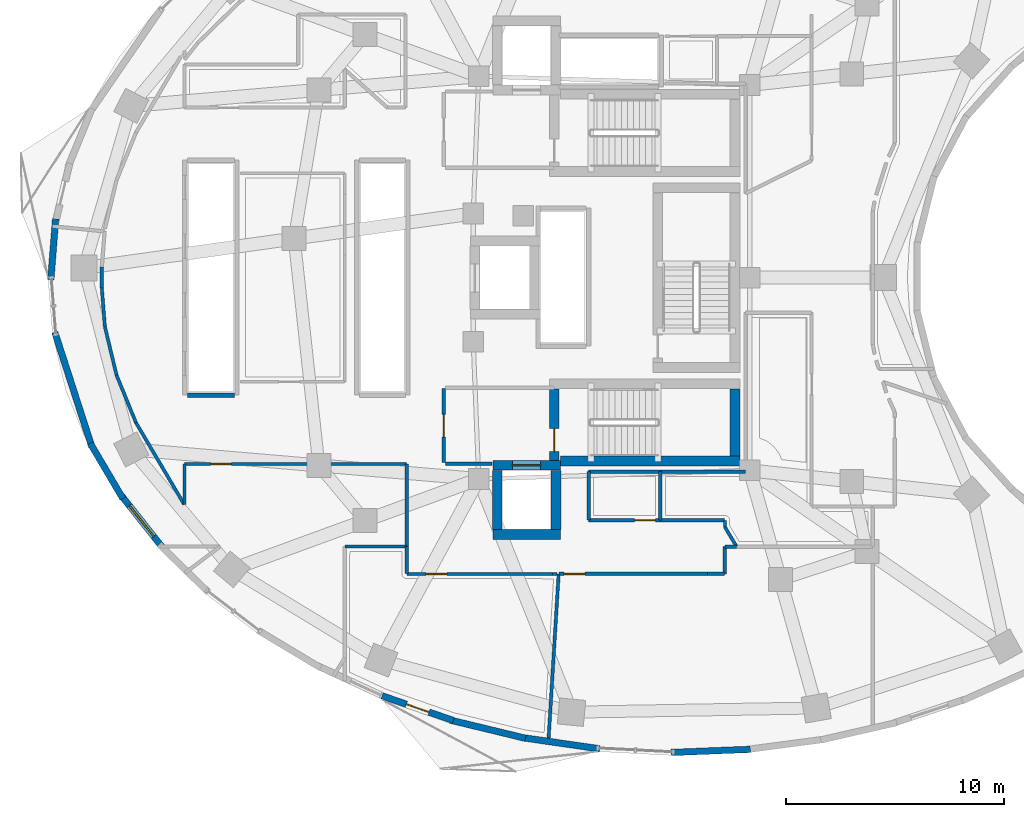
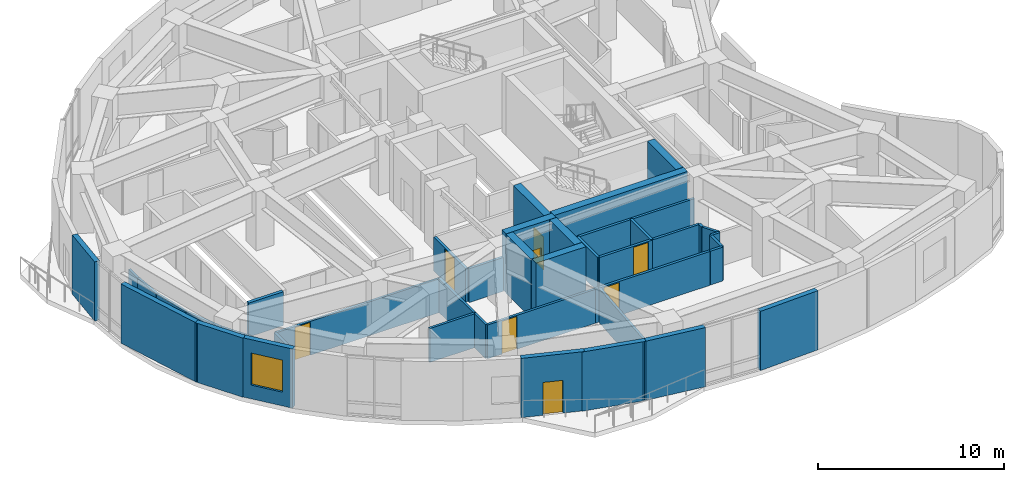
# One storey, part 6 of 13: 43 walls, 8 doors, 1 window, 9 openings.
"""IFC4 building model written with IfcOpenShell, lengths in metres."""

from ifc_helpers import new_model, si_unit, direction, frame, frame_2d, origin, place, context, subcontext, project, spatial, rectangle, extrude, material, layer, layer_set, type_object, element, fill, save


model = new_model("IFC4")

# Units and contexts
model_context = context("Model", 3, precision=1e-05, world=origin(), true_north=direction((0.0, 1.0)))
body_context = subcontext(model_context, "Body", "Model", "MODEL_VIEW")
ifc_project = project(units=[si_unit("LENGTHUNIT", "METRE"), si_unit("AREAUNIT", "SQUARE_METRE"), si_unit("VOLUMEUNIT", "CUBIC_METRE"), si_unit("PLANEANGLEUNIT", "RADIAN"), si_unit("MASSUNIT", "GRAM", prefix="KILO")], contexts=[model_context])

# Site, building, storey
site_placement = place(None, origin())
site = spatial("IfcSite", under=ifc_project, at=site_placement, CompositionType="ELEMENT")
building_placement = place(site_placement, origin())
building = spatial("IfcBuilding", under=site, at=building_placement, Name="Korentha Bioscience Tower", CompositionType="ELEMENT")
storey_placement = place(building_placement, frame((0.0, 0.0, 144.60009765625)))
storey = spatial("IfcBuildingStorey", under=building, at=storey_placement, Name="L33", CompositionType="ELEMENT", Elevation=144.60009765625)

# Wall, opening, door
ifc_material_1 = material(Name="Double-Stud Acoustic Gypsum", Category="gypsum")
ifc_layer_1 = layer(ifc_material_1, 0.14990234375, Name="Double-Stud Acoustic Gypsum")
ifc_layer_set_1 = layer_set([ifc_layer_1], Name="Double-Stud Acoustic Gypsum (IW-L150)")
wall_type_1 = type_object("IfcWallType", Name="Acoustic Laboratory Partition Wall 150", PredefinedType="PARTITIONING", material=ifc_layer_set_1)
wall_1_placement = place(storey_placement, frame((11.590087890625, 18.43994140625, 0.0), z_axis=(0.0, 0.0, 1.0), x_axis=(1.0, 0.0, 0.0)))
wall_1 = element("IfcWall", 1, at=wall_1_placement, inside=storey, type_object=wall_type_1, Name="L33 Research Colloquium Seminar Room 02 Entrance Wall", PredefinedType="PARTITIONING", context=body_context, shape_type="SweptSolid", body=[
    extrude(rectangle(XDim=10.199951171875, YDim=0.14990234375, at=frame_2d((5.10009765625, 0.0))), origin(), (0.0, 0.0, 1.0), 2.219970703125),
])
opening_1_placement = place(wall_1_placement, frame((1.20166015625, 0.0, 0.0)))
opening_1 = element("IfcOpeningElement", 2, at=opening_1_placement, cuts=wall_1, Name="Opening ID-10L", PredefinedType="OPENING", context=body_context, shape_type="SweptSolid", body=[
    extrude(rectangle(XDim=0.949951171875, YDim=2.14990234375, at=frame_2d((0.47509765625, 1.074951171875))), frame((0.0, 0.08984375, 0.0), z_axis=(0.0, -1.0, 0.0), x_axis=(1.0, 0.0, 0.0)), (0.0, 0.0, 1.0), 0.1796875),
])
ifc_material_2 = material(Name="Phenolic Laminate Timber Core", Category="wood")
door_type_1 = type_object("IfcDoorType", Name="Laboratory Single Leaf Door 950x2150 Left", OperationType="SINGLE_SWING_LEFT", PredefinedType="DOOR", material=ifc_material_2)
door_1_placement = place(opening_1_placement, origin())
door_1 = element("IfcDoor", 3, at=door_1_placement, inside=storey, type_object=door_type_1, Name="L33 Research Colloquium Seminar Room 02 Door", OperationType="SINGLE_SWING_LEFT", OverallHeight=2.14990234375, OverallWidth=0.949951171875, PredefinedType="DOOR", context=body_context, shape_type="SweptSolid", body=[
    extrude(rectangle(XDim=0.949951171875, YDim=2.14990234375, at=frame_2d((0.47509765625, 1.074951171875))), frame((0.0, 0.02490234375, 0.0), z_axis=(0.0, -1.0, 0.0), x_axis=(1.0, 0.0, 0.0)), (0.0, 0.0, 1.0), 0.050048828125),
])
fill(opening_1, door_1)

wall_2_placement = place(storey_placement, frame((21.800048828125, 13.389892578125, 0.0), z_axis=(0.0, 0.0, 1.0), x_axis=(1.0, 0.0, 0.0)))
wall_2 = element("IfcWall", 4, at=wall_2_placement, inside=storey, type_object=wall_type_1, Name="L33 Staff Pantry Kitchenette 03 Entrance Wall", PredefinedType="PARTITIONING", context=body_context, shape_type="SweptSolid", body=[
    extrude(rectangle(XDim=6.699951171875, YDim=0.14990234375, at=frame_2d((3.35009765625, 0.0))), origin(), (0.0, 0.0, 1.0), 2.219970703125),
])
opening_2_placement = place(wall_2_placement, frame((0.88720703125, 0.0, 0.0)))
opening_2 = element("IfcOpeningElement", 5, at=opening_2_placement, cuts=wall_2, Name="Opening ID-10R", PredefinedType="OPENING", context=body_context, shape_type="SweptSolid", body=[
    extrude(rectangle(XDim=0.949951171875, YDim=2.14990234375, at=frame_2d((0.47509765625, 1.074951171875))), frame((0.0, 0.08984375, 0.0), z_axis=(0.0, -1.0, 0.0), x_axis=(1.0, 0.0, 0.0)), (0.0, 0.0, 1.0), 0.1796875),
])
door_type_2 = type_object("IfcDoorType", Name="Laboratory Single Leaf Door 950x2150 Right", OperationType="SINGLE_SWING_RIGHT", PredefinedType="DOOR", material=ifc_material_2)
door_2_placement = place(opening_2_placement, origin())
door_2 = element("IfcDoor", 6, at=door_2_placement, inside=storey, type_object=door_type_2, Name="L33 Staff Pantry Kitchenette 03 Door", OperationType="SINGLE_SWING_RIGHT", OverallHeight=2.14990234375, OverallWidth=0.949951171875, PredefinedType="DOOR", context=body_context, shape_type="SweptSolid", body=[
    extrude(rectangle(XDim=0.949951171875, YDim=2.14990234375, at=frame_2d((0.47509765625, 1.074951171875))), frame((0.0, 0.02490234375, 0.0), z_axis=(0.0, -1.0, 0.0), x_axis=(1.0, 0.0, 0.0)), (0.0, 0.0, 1.0), 0.050048828125),
])
fill(opening_2, door_2)

# Walls
wall_3_placement = place(storey_placement, frame((7.7900390625, 27.48291015625, 0.0), z_axis=(0.0, 0.0, 1.0), x_axis=(0.0, -1.0, 0.0)))
element("IfcWall", 7, at=wall_3_placement, inside=storey, type_object=wall_type_1, Name="L33 Interior Partition 025", PredefinedType="PARTITIONING", context=body_context, shape_type="SweptSolid", body=[
    extrude(rectangle(XDim=0.9658203125, YDim=0.14990234375, at=frame_2d((0.48291015625, 0.0))), origin(), (0.0, 0.0, 1.0), 2.219970703125),
])
wall_4_placement = place(storey_placement, frame((7.7900390625, 26.51611328125, 0.0), z_axis=(0.0, 0.0, 1.0), x_axis=(0.079131522864, -0.996864184375, 0.0)))
element("IfcWall", 8, at=wall_4_placement, inside=storey, type_object=wall_type_1, Name="L33 Interior Partition 026", PredefinedType="PARTITIONING", context=body_context, shape_type="SweptSolid", body=[
    extrude(rectangle(XDim=1.77099609375, YDim=0.14990234375, at=frame_2d((0.885498046875, 0.0))), origin(), (0.0, 0.0, 1.0), 2.219970703125),
])
wall_5_placement = place(storey_placement, frame((7.930419921875, 24.749267578125, 0.0), z_axis=(0.0, 0.0, 1.0), x_axis=(0.233675196412, -0.972314713754, 0.0)))
element("IfcWall", 9, at=wall_5_placement, inside=storey, type_object=wall_type_1, Name="L33 Interior Partition 027", PredefinedType="PARTITIONING", context=body_context, shape_type="SweptSolid", body=[
    extrude(rectangle(XDim=2.291259765625, YDim=0.14990234375, at=frame_2d((1.1455078125, 0.0))), origin(), (0.0, 0.0, 1.0), 2.219970703125),
])
wall_6_placement = place(storey_placement, frame((8.46630859375, 22.520263671875, 0.0), z_axis=(0.0, 0.0, 1.0), x_axis=(0.378306283753, -0.925680482495, 0.0)))
element("IfcWall", 10, at=wall_6_placement, inside=storey, type_object=wall_type_1, Name="L33 Interior Partition 028", PredefinedType="PARTITIONING", context=body_context, shape_type="SweptSolid", body=[
    extrude(rectangle(XDim=2.358154296875, YDim=0.14990234375, at=frame_2d((1.17919921875, 0.0))), origin(), (0.0, 0.0, 1.0), 2.219970703125),
])
wall_7_placement = place(storey_placement, frame((9.359130859375, 20.336181640625, 0.0), z_axis=(0.0, 0.0, 1.0), x_axis=(0.508164254342, -0.86126017591, 0.0)))
element("IfcWall", 11, at=wall_7_placement, inside=storey, type_object=wall_type_1, Name="L33 Interior Partition 029", PredefinedType="PARTITIONING", context=body_context, shape_type="SweptSolid", body=[
    extrude(rectangle(XDim=4.353271484375, YDim=0.14990234375, at=frame_2d((2.1767578125, 0.0))), origin(), (0.0, 0.0, 1.0), 2.219970703125),
])
wall_8_placement = place(storey_placement, frame((11.590087890625, 16.592041015625, 0.0), z_axis=(0.0, 0.0, 1.0), x_axis=(0.0, 1.0, 0.0)))
element("IfcWall", 12, at=wall_8_placement, inside=storey, type_object=wall_type_1, Name="L33 Interior Partition 030", PredefinedType="PARTITIONING", context=body_context, shape_type="SweptSolid", body=[
    extrude(rectangle(XDim=1.847900390625, YDim=0.14990234375, at=frame_2d((0.923828125, 0.0))), origin(), (0.0, 0.0, 1.0), 2.219970703125),
])
wall_9_placement = place(storey_placement, frame((21.7900390625, 18.43994140625, 0.0), z_axis=(0.0, 0.0, 1.0), x_axis=(0.0, -1.0, 0.0)))
element("IfcWall", 13, at=wall_9_placement, inside=storey, type_object=wall_type_1, Name="L33 Interior Partition 031", PredefinedType="PARTITIONING", context=body_context, shape_type="SweptSolid", body=[
    extrude(rectangle(XDim=3.787841796875, YDim=0.14990234375, at=frame_2d((1.89404296875, 0.0))), origin(), (0.0, 0.0, 1.0), 2.219970703125),
])
wall_10_placement = place(storey_placement, frame((21.7900390625, 14.652099609375, 0.0), z_axis=(0.0, 0.0, 1.0), x_axis=(-1.0, 0.0, 0.0)))
element("IfcWall", 14, at=wall_10_placement, inside=storey, type_object=wall_type_1, Name="L33 Interior Partition 032", PredefinedType="PARTITIONING", context=body_context, shape_type="SweptSolid", body=[
    extrude(rectangle(XDim=2.837890625, YDim=0.14990234375, at=frame_2d((1.4189453125, 0.0))), origin(), (0.0, 0.0, 1.0), 2.219970703125),
])
wall_11_placement = place(storey_placement, frame((21.7900390625, 14.64208984375, 0.0), z_axis=(0.0, 0.0, 1.0), x_axis=(0.0, -1.0, 0.0)))
element("IfcWall", 15, at=wall_11_placement, inside=storey, type_object=wall_type_1, Name="L33 Interior Partition 038", PredefinedType="PARTITIONING", context=body_context, shape_type="SweptSolid", body=[
    extrude(rectangle(XDim=1.2421875, YDim=0.14990234375, at=frame_2d((0.62109375, 0.0))), origin(), (0.0, 0.0, 1.0), 2.219970703125),
])
wall_12_placement = place(storey_placement, frame((28.5, 13.389892578125, 0.0), z_axis=(0.0, 0.0, 1.0), x_axis=(1.0, 0.0, 0.0)))
element("IfcWall", 16, at=wall_12_placement, inside=storey, type_object=wall_type_1, Name="L33 Interior Partition 039", PredefinedType="PARTITIONING", context=body_context, shape_type="SweptSolid", body=[
    extrude(rectangle(XDim=0.1953125, YDim=0.14990234375, at=frame_2d((0.09765625, 0.0))), origin(), (0.0, 0.0, 1.0), 2.219970703125),
])
wall_13_placement = place(storey_placement, frame((28.773193359375, 13.389892578125, 0.0), z_axis=(0.0, 0.0, 1.0), x_axis=(-0.061057412428, -0.998134255693, 0.0)))
element("IfcWall", 17, at=wall_13_placement, inside=storey, type_object=wall_type_1, Name="L33 Interior Partition 040", PredefinedType="PARTITIONING", context=body_context, shape_type="SweptSolid", body=[
    extrude(rectangle(XDim=7.8251953125, YDim=0.14990234375, at=frame_2d((3.91259765625, 0.0))), origin(), (0.0, 0.0, 1.0), 2.219970703125),
])
wall_14_placement = place(storey_placement, frame((36.938232421875, 14.657958984375, 0.0), z_axis=(0.0, 0.0, 1.0), x_axis=(-0.510604172379, 0.859815898405, 0.0)))
element("IfcWall", 18, at=wall_14_placement, inside=storey, type_object=wall_type_1, Name="L33 Interior Partition 047", PredefinedType="PARTITIONING", context=body_context, shape_type="SweptSolid", body=[
    extrude(rectangle(XDim=1.03466796875, YDim=0.14990234375, at=frame_2d((0.517333984375, 0.0))), origin(), (0.0, 0.0, 1.0), 2.219970703125),
])
wall_15_placement = place(storey_placement, frame((36.409912109375, 15.547607421875, 0.0), z_axis=(0.0, 0.0, 1.0), x_axis=(0.0, 1.0, 0.0)))
element("IfcWall", 19, at=wall_15_placement, inside=storey, type_object=wall_type_1, Name="L33 Interior Partition 048", PredefinedType="PARTITIONING", context=body_context, shape_type="SweptSolid", body=[
    extrude(rectangle(XDim=0.302490234375, YDim=0.14990234375, at=frame_2d((0.1513671875, 0.0))), origin(), (0.0, 0.0, 1.0), 2.219970703125),
])
wall_16_placement = place(storey_placement, frame((36.39990234375, 15.860107421875, 0.0), z_axis=(0.0, 0.0, 1.0), x_axis=(-1.0, 0.0, 0.0)))
element("IfcWall", 20, at=wall_16_placement, inside=storey, type_object=wall_type_1, Name="L33 Interior Partition 049", PredefinedType="PARTITIONING", context=body_context, shape_type="SweptSolid", body=[
    extrude(rectangle(XDim=2.93994140625, YDim=0.14990234375, at=frame_2d((1.469970703125, 0.0))), origin(), (0.0, 0.0, 1.0), 2.219970703125),
])
wall_17_placement = place(storey_placement, frame((33.4599609375, 18.090087890625, 0.0), z_axis=(0.0, 0.0, 1.0), x_axis=(1.0, 0.0, 0.0)))
element("IfcWall", 21, at=wall_17_placement, inside=storey, type_object=wall_type_1, Name="L33 Interior Partition 050", PredefinedType="PARTITIONING", context=body_context, shape_type="SweptSolid", body=[
    extrude(rectangle(XDim=3.89013671875, YDim=0.14990234375, at=frame_2d((1.945068359375, 0.0))), origin(), (0.0, 0.0, 1.0), 2.219970703125),
])

# Wall, opening, door
ifc_material_3 = material(Name="Gypsum-Clad Steel Stud", Category="steel")
ifc_layer_2 = layer(ifc_material_3, 0.159912109375, Name="Gypsum-Clad Steel Stud")
ifc_layer_set_2 = layer_set([ifc_layer_2], Name="Gypsum-Clad Steel Stud (IW-C160)")
wall_type_2 = type_object("IfcWallType", Name="Fire-Rated Corridor Partition Wall 160", PredefinedType="PARTITIONING", material=ifc_layer_set_2)
wall_18_placement = place(storey_placement, frame((23.5, 18.5, 0.0), z_axis=(0.0, 0.0, 1.0), x_axis=(0.0, 1.0, 0.0)))
wall_18 = element("IfcWall", 22, at=wall_18_placement, inside=storey, type_object=wall_type_2, Name="L33 FFLS-CW Rated Enclosure Wall", PredefinedType="PARTITIONING", context=body_context, shape_type="SweptSolid", body=[
    extrude(rectangle(XDim=3.39990234375, YDim=0.159912109375, at=frame_2d((1.699951171875, 0.0))), origin(), (0.0, 0.0, 1.0), 2.219970703125),
])
opening_3_placement = place(wall_18_placement, frame((1.175048828125, 0.0, 0.0)))
opening_3 = element("IfcOpeningElement", 23, at=opening_3_placement, cuts=wall_18, Name="Opening FD-90R", PredefinedType="OPENING", context=body_context, shape_type="SweptSolid", body=[
    extrude(rectangle(XDim=1.050048828125, YDim=2.14990234375, at=frame_2d((0.52490234375, 1.074951171875))), frame((0.0, 0.0947265625, 0.0), z_axis=(0.0, -1.0, 0.0), x_axis=(1.0, 0.0, 0.0)), (0.0, 0.0, 1.0), 0.189697265625),
])
ifc_material_4 = material(Name="Powder-Coated Fire-Rated Steel", Category="steel")
door_type_3 = type_object("IfcDoorType", Name="Stairwell Fire Exit Door 1050x2150 Right", OperationType="SINGLE_SWING_RIGHT", PredefinedType="DOOR", material=ifc_material_4)
door_3_placement = place(opening_3_placement, origin())
door_3 = element("IfcDoor", 24, at=door_3_placement, inside=storey, type_object=door_type_3, Name="L33 South Firefighting Lobby Door", OperationType="SINGLE_SWING_RIGHT", OverallHeight=2.14990234375, OverallWidth=1.050048828125, PredefinedType="DOOR", context=body_context, shape_type="SweptSolid", body=[
    extrude(rectangle(XDim=1.050048828125, YDim=2.14990234375, at=frame_2d((0.52490234375, 1.074951171875))), frame((0.0, 0.02490234375, 0.0), z_axis=(0.0, -1.0, 0.0), x_axis=(1.0, 0.0, 0.0)), (0.0, 0.0, 1.0), 0.050048828125),
])
fill(opening_3, door_3)

# Wall
wall_19_placement = place(storey_placement, frame((23.580078125, 18.449951171875, 0.0), z_axis=(0.0, 0.0, 1.0), x_axis=(1.0, 0.0, 0.0)))
element("IfcWall", 25, at=wall_19_placement, inside=storey, type_object=wall_type_2, Name="L33 Firefighting Lobby Return Wall FFLS-S", PredefinedType="PARTITIONING", context=body_context, shape_type="SweptSolid", body=[
    extrude(rectangle(XDim=2.119873046875, YDim=0.159912109375, at=frame_2d((1.06005859375, 0.0))), origin(), (0.0, 0.0, 1.0), 2.219970703125),
])

# Wall, opening, door
wall_20_placement = place(storey_placement, frame((33.449951171875, 15.860107421875, 0.0), z_axis=(0.0, 0.0, 1.0), x_axis=(-1.0, 0.0, 0.0)))
wall_20 = element("IfcWall", 26, at=wall_20_placement, inside=storey, type_object=wall_type_2, Name="L33 Core Instrumentation and Gas Store Entrance Wall", PredefinedType="PARTITIONING", context=body_context, shape_type="SweptSolid", body=[
    extrude(rectangle(XDim=3.300048828125, YDim=0.159912109375, at=frame_2d((1.64990234375, 0.0))), origin(), (0.0, 0.0, 1.0), 2.219970703125),
])
opening_4_placement = place(wall_20_placement, frame((0.239990234375, 0.0, 0.0)))
opening_4 = element("IfcOpeningElement", 27, at=opening_4_placement, cuts=wall_20, Name="Opening ID-10R", PredefinedType="OPENING", context=body_context, shape_type="SweptSolid", body=[
    extrude(rectangle(XDim=0.949951171875, YDim=2.14990234375, at=frame_2d((0.47509765625, 1.074951171875))), frame((0.0, 0.0947265625, 0.0), z_axis=(0.0, -1.0, 0.0), x_axis=(1.0, 0.0, 0.0)), (0.0, 0.0, 1.0), 0.189697265625),
])
door_4_placement = place(opening_4_placement, origin())
door_4 = element("IfcDoor", 28, at=door_4_placement, inside=storey, type_object=door_type_2, Name="L33 Core Instrumentation and Gas Store Door", OperationType="SINGLE_SWING_RIGHT", OverallHeight=2.14990234375, OverallWidth=0.949951171875, PredefinedType="DOOR", context=body_context, shape_type="SweptSolid", body=[
    extrude(rectangle(XDim=0.949951171875, YDim=2.14990234375, at=frame_2d((0.47509765625, 1.074951171875))), frame((0.0, 0.02490234375, 0.0), z_axis=(0.0, -1.0, 0.0), x_axis=(1.0, 0.0, 0.0)), (0.0, 0.0, 1.0), 0.050048828125),
])
fill(opening_4, door_4)

wall_21_placement = place(storey_placement, frame((28.783203125, 13.389892578125, 0.0), z_axis=(0.0, 0.0, 1.0), x_axis=(1.0, 0.0, 0.0)))
wall_21 = element("IfcWall", 29, at=wall_21_placement, inside=storey, type_object=wall_type_2, Name="L33 Biospecimen Archive Store 04 Entrance Wall", PredefinedType="PARTITIONING", context=body_context, shape_type="SweptSolid", body=[
    extrude(rectangle(XDim=6.81689453125, YDim=0.159912109375, at=frame_2d((3.408447265625, 0.0))), origin(), (0.0, 0.0, 1.0), 2.219970703125),
])
opening_5_placement = place(wall_21_placement, frame((0.239990234375, 0.0, 0.0)))
opening_5 = element("IfcOpeningElement", 30, at=opening_5_placement, cuts=wall_21, Name="Opening ID-10L", PredefinedType="OPENING", context=body_context, shape_type="SweptSolid", body=[
    extrude(rectangle(XDim=0.949951171875, YDim=2.14990234375, at=frame_2d((0.47509765625, 1.074951171875))), frame((0.0, 0.0947265625, 0.0), z_axis=(0.0, -1.0, 0.0), x_axis=(1.0, 0.0, 0.0)), (0.0, 0.0, 1.0), 0.189697265625),
])
door_5_placement = place(opening_5_placement, origin())
door_5 = element("IfcDoor", 31, at=door_5_placement, inside=storey, type_object=door_type_1, Name="L33 Biospecimen Archive Store 04 Door", OperationType="SINGLE_SWING_LEFT", OverallHeight=2.14990234375, OverallWidth=0.949951171875, PredefinedType="DOOR", context=body_context, shape_type="SweptSolid", body=[
    extrude(rectangle(XDim=0.949951171875, YDim=2.14990234375, at=frame_2d((0.47509765625, 1.074951171875))), frame((0.0, 0.02490234375, 0.0), z_axis=(0.0, -1.0, 0.0), x_axis=(1.0, 0.0, 0.0)), (0.0, 0.0, 1.0), 0.050048828125),
])
fill(opening_5, door_5)

# Walls
wall_22_placement = place(storey_placement, frame((30.14990234375, 15.860107421875, 0.0), z_axis=(0.0, 0.0, 1.0), x_axis=(0.0, 1.0, 0.0)))
element("IfcWall", 32, at=wall_22_placement, inside=storey, type_object=wall_type_2, Name="L33 Interior Partition 014", PredefinedType="PARTITIONING", context=body_context, shape_type="SweptSolid", body=[
    extrude(rectangle(XDim=2.22998046875, YDim=0.159912109375, at=frame_2d((1.114990234375, 0.0))), origin(), (0.0, 0.0, 1.0), 2.219970703125),
])
wall_23_placement = place(storey_placement, frame((30.14990234375, 18.090087890625, 0.0), z_axis=(0.0, 0.0, 1.0), x_axis=(1.0, 0.0, 0.0)))
element("IfcWall", 33, at=wall_23_placement, inside=storey, type_object=wall_type_2, Name="L33 Interior Partition 015", PredefinedType="PARTITIONING", context=body_context, shape_type="SweptSolid", body=[
    extrude(rectangle(XDim=3.300048828125, YDim=0.159912109375, at=frame_2d((1.64990234375, 0.0))), origin(), (0.0, 0.0, 1.0), 2.219970703125),
])
wall_24_placement = place(storey_placement, frame((33.449951171875, 18.090087890625, 0.0), z_axis=(0.0, 0.0, 1.0), x_axis=(0.0, -1.0, 0.0)))
element("IfcWall", 34, at=wall_24_placement, inside=storey, type_object=wall_type_2, Name="L33 Interior Partition 016", PredefinedType="PARTITIONING", context=body_context, shape_type="SweptSolid", body=[
    extrude(rectangle(XDim=2.22998046875, YDim=0.159912109375, at=frame_2d((1.114990234375, 0.0))), origin(), (0.0, 0.0, 1.0), 2.219970703125),
])
wall_25_placement = place(storey_placement, frame((35.610107421875, 13.39990234375, 0.0), z_axis=(0.0, 0.0, 1.0), x_axis=(1.0, 0.0, 0.0)))
element("IfcWall", 35, at=wall_25_placement, inside=storey, type_object=wall_type_2, Name="L33 Interior Partition 044", PredefinedType="PARTITIONING", context=body_context, shape_type="SweptSolid", body=[
    extrude(rectangle(XDim=0.789794921875, YDim=0.159912109375, at=frame_2d((0.39501953125, 0.0))), origin(), (0.0, 0.0, 1.0), 2.219970703125),
])
wall_26_placement = place(storey_placement, frame((36.39990234375, 13.39990234375, 0.0), z_axis=(0.0, 0.0, 1.0), x_axis=(0.008020086342, 0.99996783859, 0.0)))
element("IfcWall", 36, at=wall_26_placement, inside=storey, type_object=wall_type_2, Name="L33 Interior Partition 045", PredefinedType="PARTITIONING", context=body_context, shape_type="SweptSolid", body=[
    extrude(rectangle(XDim=1.248046875, YDim=0.159912109375, at=frame_2d((0.6240234375, 0.0))), origin(), (0.0, 0.0, 1.0), 2.219970703125),
])
wall_27_placement = place(storey_placement, frame((36.409912109375, 14.64794921875, 0.0), z_axis=(0.0, 0.0, 1.0), x_axis=(1.0, 0.0, 0.0)))
element("IfcWall", 37, at=wall_27_placement, inside=storey, type_object=wall_type_2, Name="L33 Interior Partition 046", PredefinedType="PARTITIONING", context=body_context, shape_type="SweptSolid", body=[
    extrude(rectangle(XDim=0.529541015625, YDim=0.159912109375, at=frame_2d((0.2646484375, 0.0))), origin(), (0.0, 0.0, 1.0), 2.219970703125),
])

# Wall, opening, window
ifc_material_5 = material(Name="Honed Limestone Precast Concrete C40", Category="masonry")
ifc_layer_3 = layer(ifc_material_5, 0.300048828125, Name="Honed Limestone Precast Concrete C40")
ifc_layer_set_3 = layer_set([ifc_layer_3], Name="Honed Limestone Precast Concrete C40 (EW-ST300)")
wall_type_3 = type_object("IfcWallType", Name="Honed Limestone Cavity Spandrel Wall 300", PredefinedType="STANDARD", material=ifc_layer_set_3)
wall_28_placement = place(storey_placement, frame((8.684814453125, 16.9931640625, 0.0), z_axis=(0.0, 0.0, 1.0), x_axis=(0.620971431761, -0.783833197139, 0.0)))
wall_28 = element("IfcWall", 38, at=wall_28_placement, inside=storey, type_object=wall_type_3, Name="L33 Honed Limestone Spandrel Wall 23", PredefinedType="STANDARD", context=body_context, shape_type="SweptSolid", body=[
    extrude(rectangle(XDim=3.004150390625, YDim=0.300048828125, at=frame_2d((1.501953125, 0.0))), origin(), (0.0, 0.0, 1.0), 3.8798828125),
])
opening_6_placement = place(wall_28_placement, frame((0.60205078125, 0.0, 0.89990234375)))
opening_6 = element("IfcOpeningElement", 39, at=opening_6_placement, cuts=wall_28, Name="Opening WN-01", PredefinedType="OPENING", context=body_context, shape_type="SweptSolid", body=[
    extrude(rectangle(XDim=1.800048828125, YDim=2.10009765625, at=frame_2d((0.89990234375, 1.050048828125))), frame((0.0, 0.1650390625, 0.0), z_axis=(0.0, -1.0, 0.0), x_axis=(1.0, 0.0, 0.0)), (0.0, 0.0, 1.0), 0.329833984375),
])
ifc_material_6 = material(Name="Thermally Broken Aluminium Triple Glazing", Category="aluminium")
window_type = type_object("IfcWindowType", Name="Triple-Glazed Fixed Bioscience Window 1800x2100", PartitioningType="SINGLE_PANEL", PredefinedType="WINDOW", material=ifc_material_6)
window_placement = place(opening_6_placement, origin())
window = element("IfcWindow", 40, at=window_placement, inside=storey, type_object=window_type, Name="L33 Facade Window 23", OverallHeight=2.10009765625, OverallWidth=1.800048828125, PartitioningType="SINGLE_PANEL", PredefinedType="WINDOW", context=body_context, shape_type="SweptSolid", body=[
    extrude(rectangle(XDim=1.800048828125, YDim=2.10009765625, at=frame_2d((0.89990234375, 1.050048828125))), frame((0.0, 0.030029296875, 0.0), z_axis=(0.0, -1.0, 0.0), x_axis=(1.0, 0.0, 0.0)), (0.0, 0.0, 1.0), 0.06005859375),
])
fill(opening_6, window)

# Wall, opening, door
wall_29_placement = place(storey_placement, frame((20.662109375, 7.7919921875, 0.0), z_axis=(0.0, 0.0, 1.0), x_axis=(0.944878029854, -0.3274225232, 0.0)))
wall_29 = element("IfcWall", 41, at=wall_29_placement, inside=storey, type_object=wall_type_3, Name="L33 Balcony Threshold Wall 03", PredefinedType="STANDARD", context=body_context, shape_type="SweptSolid", body=[
    extrude(rectangle(XDim=3.46728515625, YDim=0.300048828125, at=frame_2d((1.733642578125, 0.0))), origin(), (0.0, 0.0, 1.0), 3.8798828125),
])
opening_7_placement = place(wall_29_placement, frame((1.18359375, 0.0, 0.0)))
opening_7 = element("IfcOpeningElement", 42, at=opening_7_placement, cuts=wall_29, Name="Opening BD-11L", PredefinedType="OPENING", context=body_context, shape_type="SweptSolid", body=[
    extrude(rectangle(XDim=1.10009765625, YDim=2.14990234375, at=frame_2d((0.550048828125, 1.074951171875))), frame((0.0, 0.1650390625, 0.0), z_axis=(0.0, -1.0, 0.0), x_axis=(1.0, 0.0, 0.0)), (0.0, 0.0, 1.0), 0.329833984375),
])
ifc_material_7 = material(Name="Thermally Broken Glazed Aluminium", Category="aluminium")
door_type_4 = type_object("IfcDoorType", Name="Balcony Terrace Glazed Door 1100x2150 Left", OperationType="SINGLE_SWING_LEFT", PredefinedType="DOOR", material=ifc_material_7)
door_6_placement = place(opening_7_placement, origin())
door_6 = element("IfcDoor", 43, at=door_6_placement, inside=storey, type_object=door_type_4, Name="L33 Balcony Access Door 03", OperationType="SINGLE_SWING_LEFT", OverallHeight=2.14990234375, OverallWidth=1.10009765625, PredefinedType="DOOR", context=body_context, shape_type="SweptSolid", body=[
    extrude(rectangle(XDim=1.10009765625, YDim=2.14990234375, at=frame_2d((0.550048828125, 1.074951171875))), frame((0.0, 0.02490234375, 0.0), z_axis=(0.0, -1.0, 0.0), x_axis=(1.0, 0.0, 0.0)), (0.0, 0.0, 1.0), 0.050048828125),
])
fill(opening_7, door_6)

# Walls
wall_30_placement = place(storey_placement, frame((5.668701171875, 29.701171875, 0.0), z_axis=(0.0, 0.0, 1.0), x_axis=(-0.079062676622, -0.996869647028, 0.0)))
element("IfcWall", 44, at=wall_30_placement, inside=storey, type_object=wall_type_3, Name="L33 Limestone Perimeter Closure Wall 18", PredefinedType="STANDARD", context=body_context, shape_type="SweptSolid", body=[
    extrude(rectangle(XDim=2.80078125, YDim=0.300048828125, at=frame_2d((1.400390625, 0.0))), origin(), (0.0, 0.0, 1.0), 3.8798828125),
])
wall_31_placement = place(storey_placement, frame((5.631591796875, 24.48681640625, 0.0), z_axis=(0.0, 0.0, 1.0), x_axis=(0.307599470659, -0.951515930319, 0.0)))
element("IfcWall", 45, at=wall_31_placement, inside=storey, type_object=wall_type_3, Name="L33 Limestone Perimeter Closure Wall 20", PredefinedType="STANDARD", context=body_context, shape_type="SweptSolid", body=[
    extrude(rectangle(XDim=5.534423828125, YDim=0.300048828125, at=frame_2d((2.76708984375, 0.0))), origin(), (0.0, 0.0, 1.0), 3.8798828125),
])
wall_32_placement = place(storey_placement, frame((7.256103515625, 19.393798828125, 0.0), z_axis=(0.0, 0.0, 1.0), x_axis=(0.508200342003, -0.861238882302, 0.0)))
element("IfcWall", 46, at=wall_32_placement, inside=storey, type_object=wall_type_3, Name="L33 Limestone Perimeter Closure Wall 22", PredefinedType="STANDARD", context=body_context, shape_type="SweptSolid", body=[
    extrude(rectangle(XDim=2.954833984375, YDim=0.300048828125, at=frame_2d((1.4775390625, 0.0))), origin(), (0.0, 0.0, 1.0), 3.8798828125),
])
wall_33_placement = place(storey_placement, frame((23.7841796875, 6.679931640625, 0.0), z_axis=(0.0, 0.0, 1.0), x_axis=(0.972043452321, -0.234801036625, 0.0)))
element("IfcWall", 47, at=wall_33_placement, inside=storey, type_object=wall_type_3, Name="L33 Limestone Perimeter Closure Wall 29", PredefinedType="STANDARD", context=body_context, shape_type="SweptSolid", body=[
    extrude(rectangle(XDim=3.568603515625, YDim=0.300048828125, at=frame_2d((1.7841796875, 0.0))), origin(), (0.0, 0.0, 1.0), 3.8798828125),
])
wall_34_placement = place(storey_placement, frame((27.083251953125, 5.874755859375, 0.0), z_axis=(0.0, 0.0, 1.0), x_axis=(0.989734732902, -0.142916613754, 0.0)))
element("IfcWall", 48, at=wall_34_placement, inside=storey, type_object=wall_type_3, Name="L33 Limestone Perimeter Closure Wall 30", PredefinedType="STANDARD", context=body_context, shape_type="SweptSolid", body=[
    extrude(rectangle(XDim=3.611328125, YDim=0.300048828125, at=frame_2d((1.8056640625, 0.0))), origin(), (0.0, 0.0, 1.0), 3.8798828125),
])
wall_35_placement = place(storey_placement, frame((33.94189453125, 5.189453125, 0.0), z_axis=(0.0, 0.0, 1.0), x_axis=(0.999212076676, 0.039689114679, 0.0)))
element("IfcWall", 49, at=wall_35_placement, inside=storey, type_object=wall_type_3, Name="L33 Limestone Perimeter Closure Wall 32", PredefinedType="STANDARD", context=body_context, shape_type="SweptSolid", body=[
    extrude(rectangle(XDim=3.635498046875, YDim=0.300048828125, at=frame_2d((1.81787109375, 0.0))), origin(), (0.0, 0.0, 1.0), 3.8798828125),
])
ifc_material_8 = material(Name="Autoclaved Aerated Concrete Block C25", Category="concrete")
ifc_layer_4 = layer(ifc_material_8, 0.199951171875, Name="Autoclaved Aerated Concrete Block C25")
ifc_layer_set_4 = layer_set([ifc_layer_4], Name="Autoclaved Aerated Concrete Block C25 (IW-S200)")
wall_type_4 = type_object("IfcWallType", Name="Lift and Riser Shaft Enclosure Wall 200", PredefinedType="PARTITIONING", material=ifc_layer_set_4)
wall_36_placement = place(storey_placement, frame((11.719970703125, 21.60009765625, 0.0), z_axis=(0.0, 0.0, 1.0), x_axis=(1.0, 0.0, 0.0)))
element("IfcWall", 50, at=wall_36_placement, inside=storey, type_object=wall_type_4, Name="L33 Lift Bank LOW Shaft Wall -Y", PredefinedType="PARTITIONING", context=body_context, shape_type="SweptSolid", body=[
    extrude(rectangle(XDim=2.159912109375, YDim=0.199951171875, at=frame_2d((1.080078125, 0.0))), origin(), (0.0, 0.0, 1.0), 2.219970703125),
])
ifc_material_9 = material(Name="Concrete C80", Category="concrete")
ifc_layer_5 = layer(ifc_material_9, 0.449951171875, Name="Concrete C80")
ifc_layer_set_5 = layer_set([ifc_layer_5], Name="Concrete C80 (CW-C80)")
wall_type_5 = type_object("IfcWallType", Name="Lower Core Shear Wall 450", PredefinedType="SHEAR", material=ifc_layer_set_5)
wall_37_placement = place(storey_placement, frame((28.85205078125, 18.574951171875, 0.0), z_axis=(0.0, 0.0, 1.0), x_axis=(1.0, 0.0, 0.0)))
element("IfcWall", 51, at=wall_37_placement, inside=storey, type_object=wall_type_5, Name="L33 Core Shear Wall ST2-S", PredefinedType="SHEAR", context=body_context, shape_type="SweptSolid", body=[
    extrude(rectangle(XDim=8.248046875, YDim=0.449951171875, at=frame_2d((4.1240234375, 0.0))), origin(), (0.0, 0.0, 1.0), 3.8798828125),
])
wall_38_placement = place(storey_placement, frame((36.875, 18.81005859375, 0.0), z_axis=(0.0, 0.0, 1.0), x_axis=(0.0, 1.0, 0.0)))
element("IfcWall", 52, at=wall_38_placement, inside=storey, type_object=wall_type_5, Name="L33 Core Shear Wall ST2-E", PredefinedType="SHEAR", context=body_context, shape_type="SweptSolid", body=[
    extrude(rectangle(XDim=3.079833984375, YDim=0.449951171875, at=frame_2d((1.5400390625, 0.0))), origin(), (0.0, 0.0, 1.0), 3.8798828125),
])

# Wall, opening, door
wall_39_placement = place(storey_placement, frame((28.574951171875, 18.60693359375, 0.0), z_axis=(0.0, 0.0, 1.0), x_axis=(0.0, 1.0, 0.0)))
wall_39 = element("IfcWall", 53, at=wall_39_placement, inside=storey, type_object=wall_type_5, Name="L33 Core Shear Wall ST2-W", PredefinedType="SHEAR", context=body_context, shape_type="SweptSolid", body=[
    extrude(rectangle(XDim=3.282958984375, YDim=0.449951171875, at=frame_2d((1.6416015625, 0.0))), origin(), (0.0, 0.0, 1.0), 3.8798828125),
])
opening_8_placement = place(wall_39_placement, frame((0.403076171875, 0.0, 0.0)))
opening_8 = element("IfcOpeningElement", 54, at=opening_8_placement, cuts=wall_39, Name="Opening FD-90R", PredefinedType="OPENING", context=body_context, shape_type="SweptSolid", body=[
    extrude(rectangle(XDim=1.050048828125, YDim=2.14990234375, at=frame_2d((0.52490234375, 1.074951171875))), frame((0.0, 0.23974609375, 0.0), z_axis=(0.0, -1.0, 0.0), x_axis=(1.0, 0.0, 0.0)), (0.0, 0.0, 1.0), 0.479736328125),
])
door_7_placement = place(opening_8_placement, origin())
door_7 = element("IfcDoor", 55, at=door_7_placement, inside=storey, type_object=door_type_3, Name="L33 ST-2 Fire Exit Stair Door", OperationType="SINGLE_SWING_RIGHT", OverallHeight=2.14990234375, OverallWidth=1.050048828125, PredefinedType="DOOR", context=body_context, shape_type="SweptSolid", body=[
    extrude(rectangle(XDim=1.050048828125, YDim=2.14990234375, at=frame_2d((0.52490234375, 1.074951171875))), frame((0.0, 0.02490234375, 0.0), z_axis=(0.0, -1.0, 0.0), x_axis=(1.0, 0.0, 0.0)), (0.0, 0.0, 1.0), 0.050048828125),
])
fill(opening_8, door_7)

# Wall
wall_40_placement = place(storey_placement, frame((25.75, 15.199951171875, 0.0), z_axis=(0.0, 0.0, 1.0), x_axis=(1.0, 0.0, 0.0)))
element("IfcWall", 56, at=wall_40_placement, inside=storey, type_object=wall_type_5, Name="L33 Core Shear Wall FFL1-S", PredefinedType="SHEAR", context=body_context, shape_type="SweptSolid", body=[
    extrude(rectangle(XDim=3.10009765625, YDim=0.449951171875, at=frame_2d((1.550048828125, 0.0))), origin(), (0.0, 0.0, 1.0), 3.8798828125),
])

# Wall, opening, door
wall_41_placement = place(storey_placement, frame((25.75, 18.3798828125, 0.0), z_axis=(0.0, 0.0, 1.0), x_axis=(1.0, 0.0, 0.0)))
wall_41 = element("IfcWall", 57, at=wall_41_placement, inside=storey, type_object=wall_type_5, Name="L33 Core Shear Wall FFL1-N", PredefinedType="SHEAR", context=body_context, shape_type="SweptSolid", body=[
    extrude(rectangle(XDim=3.10009765625, YDim=0.449951171875, at=frame_2d((1.550048828125, 0.0))), origin(), (0.0, 0.0, 1.0), 3.8798828125),
])
opening_9_placement = place(wall_41_placement, frame((0.89990234375, 0.0, 0.0)))
opening_9 = element("IfcOpeningElement", 58, at=opening_9_placement, cuts=wall_41, Name="Opening LD-13", PredefinedType="OPENING", context=body_context, shape_type="SweptSolid", body=[
    extrude(rectangle(XDim=1.300048828125, YDim=2.199951171875, at=frame_2d((0.64990234375, 1.10009765625))), frame((0.0, 0.23974609375, 0.0), z_axis=(0.0, -1.0, 0.0), x_axis=(1.0, 0.0, 0.0)), (0.0, 0.0, 1.0), 0.479736328125),
])
ifc_material_10 = material(Name="Brushed Stainless Steel 316", Category="steel")
door_type_5 = type_object("IfcDoorType", Name="Service & Firefighting Lift Landing Door 1300x2300", OperationType="DOUBLE_DOOR_SLIDING", PredefinedType="DOOR", material=ifc_material_10)
door_8_placement = place(opening_9_placement, origin())
door_8 = element("IfcDoor", 59, at=door_8_placement, inside=storey, type_object=door_type_5, Name="L33 FFL-1 Sliding Lift Landing Door", OperationType="DOUBLE_DOOR_SLIDING", OverallHeight=2.199951171875, OverallWidth=1.300048828125, PredefinedType="DOOR", context=body_context, shape_type="SweptSolid", body=[
    extrude(rectangle(XDim=1.300048828125, YDim=2.199951171875, at=frame_2d((0.64990234375, 1.10009765625))), frame((0.0, 0.02490234375, 0.0), z_axis=(0.0, -1.0, 0.0), x_axis=(1.0, 0.0, 0.0)), (0.0, 0.0, 1.0), 0.050048828125),
])
fill(opening_9, door_8)

# Walls
for number, where, z_axis, x_axis, name in (
    (60, (25.949951171875, 15.43994140625, 0.0), (0.0, 0.0, 1.0), (0.0, 1.0, 0.0), "L33 Core Shear Wall FFL1-W"),
    (61, (28.64990234375, 15.43994140625, 0.0), (0.0, 0.0, 1.0), (0.0, 1.0, 0.0), "L33 Core Shear Wall FFL1-E"),
):
    element("IfcWall", number, at=place(storey_placement, frame(where, z_axis=z_axis, x_axis=x_axis)), inside=storey, type_object=wall_type_5, Name=name, PredefinedType="SHEAR", context=body_context, shape_type="SweptSolid", body=[
        extrude(rectangle(XDim=2.699951171875, YDim=0.449951171875, at=frame_2d((1.35009765625, 0.0))), origin(), (0.0, 0.0, 1.0), 3.8798828125),
    ])

save(model, "model.ifc")
